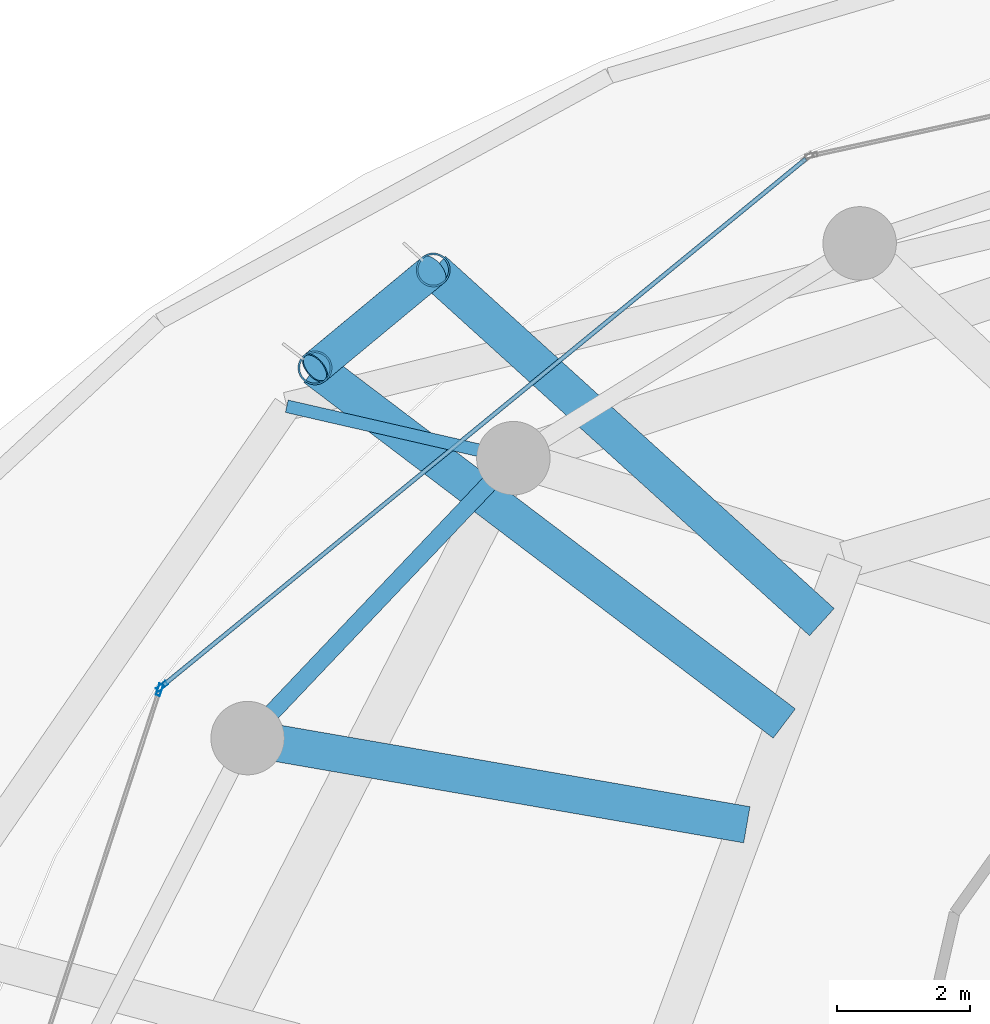
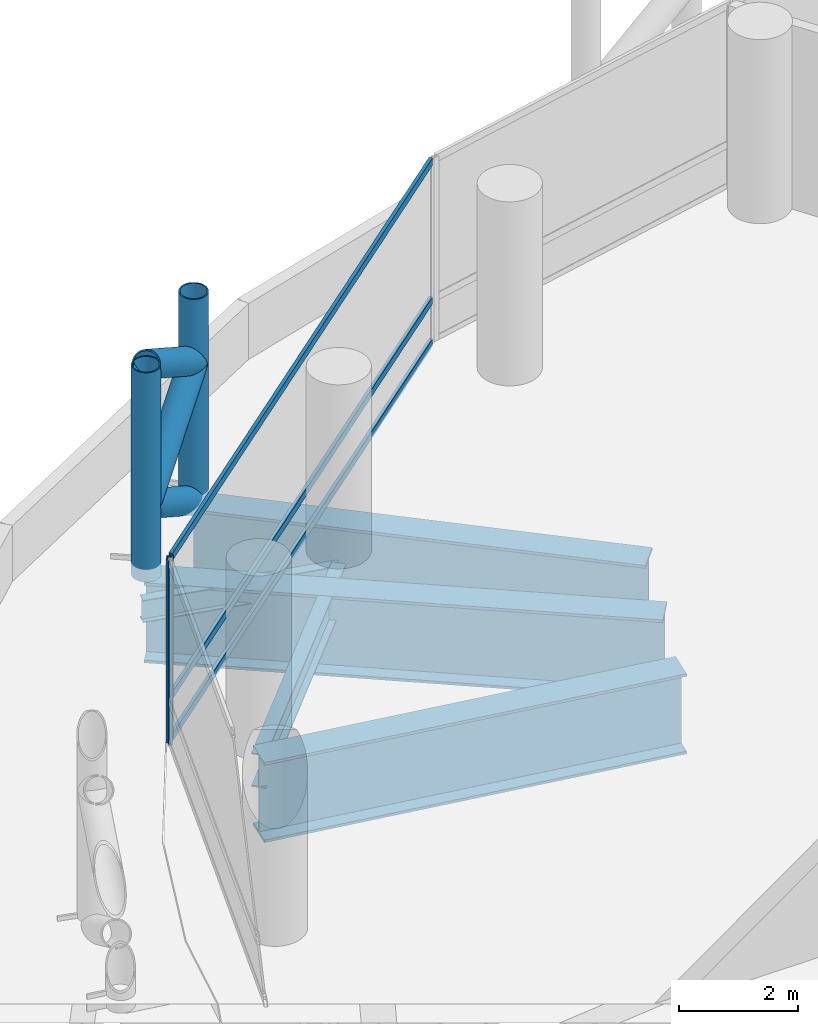
# One storey, part 18 of 37: 10 members, 5 beams, 2 elements without a shape of their own.
"""IFC4 building model written with IfcOpenShell, lengths in metres."""

from ifc_helpers import new_model, si_unit, direction, frame, origin, origin_2d, place, context, subcontext, project, spatial, hollow_rectangle, hollow_circle, i_section, extrude, material, layer, layer_set, material_profile, profile_set, type_object, element, aggregate, save


model = new_model("IFC4")

# Units and contexts
model_context = context("Model", 3, precision=1e-05, world=origin(), true_north=direction((0.0, 1.0)))
body_context = subcontext(model_context, "Body", "Model", "MODEL_VIEW")
ifc_project = project(units=[si_unit("LENGTHUNIT", "METRE"), si_unit("AREAUNIT", "SQUARE_METRE"), si_unit("VOLUMEUNIT", "CUBIC_METRE"), si_unit("PLANEANGLEUNIT", "RADIAN"), si_unit("MASSUNIT", "GRAM", prefix="KILO")], contexts=[model_context])

# Site, building, storey
site_placement = place(None, origin())
site = spatial("IfcSite", under=ifc_project, at=site_placement, CompositionType="ELEMENT")
building_placement = place(site_placement, origin())
building = spatial("IfcBuilding", under=site, at=building_placement, Name="Nuhasar Tower", CompositionType="ELEMENT")
storey_placement = place(building_placement, frame((0.0, 0.0, 21.0)))
storey = spatial("IfcBuildingStorey", under=building, at=storey_placement, Name="L04", CompositionType="ELEMENT", Elevation=21.0)

# Beams
ifc_material_1 = material(Name="Steel S355", Category="steel")
ifc_material_profile_1 = material_profile(ifc_material_1, i_section(OverallWidth=0.18994140625, OverallDepth=0.45703125, WebThickness=0.009033203125, FlangeThickness=0.014404296875, at=origin_2d()), Name="W18X50")
ifc_profile_set_1 = profile_set([ifc_material_profile_1], Name="Steel S355")
beam_type_1 = type_object("IfcBeamType", Name="BM-RAD-W18X50", PredefinedType="BEAM", material=ifc_profile_set_1)
beam_1_placement = place(storey_placement, frame((21.287109375, 41.118896484375, -0.489013671875), z_axis=(-0.974715141502, 0.223451097394, 0.0), x_axis=(-0.223451097394, -0.974715141502, 0.0)))
element("IfcBeam", 1, at=beam_1_placement, inside=storey, type_object=beam_type_1, Name="L04 Podium Radial Girder 07", PredefinedType="BEAM", context=body_context, shape_type="SweptSolid", body=[
    extrude(i_section(OverallWidth=0.18994140625, OverallDepth=0.45703125, WebThickness=0.009033203125, FlangeThickness=0.014404296875, at=origin_2d()), origin(), (0.0, 0.0, 1.0), 3.482177734375),
])
ifc_material_profile_2 = material_profile(ifc_material_1, i_section(OverallWidth=0.256103515625, OverallDepth=0.693115234375, WebThickness=0.014404296875, FlangeThickness=0.023681640625, at=origin_2d()), Name="W27X114")
ifc_profile_set_2 = profile_set([ifc_material_profile_2], Name="Steel S355")
beam_type_2 = type_object("IfcBeamType", Name="BM-RING-W27X114", PredefinedType="SPANDREL", material=ifc_profile_set_2)
beam_2_placement = place(storey_placement, frame((21.287109375, 41.118896484375, -0.60693359375), z_axis=(-0.688480893507, -0.725254478976, 0.0), x_axis=(0.725254478976, -0.688480893507, 0.0)))
element("IfcBeam", 2, at=beam_2_placement, inside=storey, type_object=beam_type_2, Name="L04 Perimeter Ring Spandrel 10", PredefinedType="SPANDREL", context=body_context, shape_type="SweptSolid", body=[
    extrude(i_section(OverallWidth=0.256103515625, OverallDepth=0.693115234375, WebThickness=0.014404296875, FlangeThickness=0.023681640625, at=origin_2d()), origin(), (0.0, 0.0, 1.0), 5.782470703125),
])
ifc_material_2 = material(Name="Steel S460", Category="steel")
ifc_material_profile_3 = material_profile(ifc_material_2, i_section(OverallWidth=0.550048828125, OverallDepth=1.64990234375, WebThickness=0.031982421875, FlangeThickness=0.054931640625, at=origin_2d()), Name="PG1650X550")
ifc_profile_set_3 = profile_set([ifc_material_profile_3], Name="Steel S460")
beam_type_3 = type_object("IfcBeamType", Name="BM-XFER-PG1650", PredefinedType="USERDEFINED", material=ifc_profile_set_3)
beam_3_placement = place(storey_placement, frame((24.784912109375, 35.626953125, -1.0849609375), z_axis=(-0.985269532389, 0.171008621261, 0.0), x_axis=(-0.171008621261, -0.985269532389, 0.0)))
element("IfcBeam", 3, at=beam_3_placement, inside=storey, type_object=beam_type_3, Name="L04 Inner Column Transfer Girder 11", ObjectType="GIRDER", PredefinedType="USERDEFINED", context=body_context, shape_type="SweptSolid", body=[
    extrude(i_section(OverallWidth=0.550048828125, OverallDepth=1.64990234375, WebThickness=0.031982421875, FlangeThickness=0.054931640625, at=origin_2d()), origin(), (0.0, 0.0, 1.0), 7.5908203125),
])
beam_4_placement = place(storey_placement, frame((25.908935546875, 38.6630859375, -1.0849609375), z_axis=(-0.741007727783, 0.671496498402, 0.0), x_axis=(-0.671496498402, -0.741007727783, 0.0)))
element("IfcBeam", 4, at=beam_4_placement, inside=storey, type_object=beam_type_3, Name="L04 Exoskeleton Base Transfer Girder 09", ObjectType="GIRDER", PredefinedType="USERDEFINED", context=body_context, shape_type="SweptSolid", body=[
    extrude(i_section(OverallWidth=0.550048828125, OverallDepth=1.64990234375, WebThickness=0.031982421875, FlangeThickness=0.054931640625, at=origin_2d()), origin(), (0.0, 0.0, 1.0), 7.85693359375),
])
beam_5_placement = place(storey_placement, frame((25.345947265625, 37.14404296875, -1.0849609375), z_axis=(-0.79707115575, 0.603885396969, 0.0), x_axis=(-0.603885396969, -0.79707115575, 0.0)))
element("IfcBeam", 5, at=beam_5_placement, inside=storey, type_object=beam_type_3, Name="L04 Exoskeleton Base Transfer Girder 10", ObjectType="GIRDER", PredefinedType="USERDEFINED", context=body_context, shape_type="SweptSolid", body=[
    extrude(i_section(OverallWidth=0.550048828125, OverallDepth=1.64990234375, WebThickness=0.031982421875, FlangeThickness=0.054931640625, at=origin_2d()), origin(), (0.0, 0.0, 1.0), 8.821044921875),
])

# Curtain wall, member
ifc_material_3 = material(Name="Aluminium 6063-T6", Category="aluminium")
ifc_layer = layer(ifc_material_3, 0.199951171875)
ifc_layer_set = layer_set([ifc_layer], Name="Aluminium 6063-T6")
curtain_wall_type = type_object("IfcCurtainWallType", Name="CW-Z1-OFF", PredefinedType="NOTDEFINED", material=ifc_layer_set)
curtain_wall_1_placement = place(storey_placement, origin())
curtain_wall_1 = element("IfcCurtainWall", 6, at=curtain_wall_1_placement, inside=storey, type_object=curtain_wall_type, Name="L04 Unitised Curtain Wall 05", PredefinedType="NOTDEFINED")
ifc_material_profile_4 = material_profile(ifc_material_3, hollow_rectangle(XDim=0.06494140625, YDim=0.179931640625, WallThickness=0.0048828125, at=origin_2d()), Name="CWM-2")
ifc_profile_set_4 = profile_set([ifc_material_profile_4], Name="Aluminium 6063-T6")
member_type_1 = type_object("IfcMemberType", Name="CW-MUL-S2", PredefinedType="MULLION", material=ifc_profile_set_4)
member_1_placement = place(storey_placement, frame((16.023193359375, 37.70068359375, 0.0), z_axis=(0.0, 0.0, 1.0), x_axis=(0.633744593376, -0.773542364946, 0.0)))
member_1 = element("IfcMember", 7, at=member_1_placement, type_object=member_type_1, Name="CW-Z1 mullion 2", PredefinedType="MULLION", context=body_context, shape_type="SweptSolid", body=[
    extrude(hollow_rectangle(XDim=0.06494140625, YDim=0.179931640625, WallThickness=0.0048828125, at=origin_2d()), origin(), (0.0, 0.0, 1.0), 3.7900390625),
])

curtain_wall_2_placement = place(storey_placement, origin())
curtain_wall_2 = element("IfcCurtainWall", 8, at=curtain_wall_2_placement, inside=storey, type_object=curtain_wall_type, Name="L04 Unitised Curtain Wall 06", PredefinedType="NOTDEFINED")
member_2_placement = place(storey_placement, frame((15.98779296875, 37.649169921875, 0.0), z_axis=(0.0, 0.0, 1.0), x_axis=(0.950467534571, -0.310823849997, 0.0)))
member_2 = element("IfcMember", 9, at=member_2_placement, type_object=member_type_1, Name="CW-Z1 mullion 1", PredefinedType="MULLION", context=body_context, shape_type="SweptSolid", body=[
    extrude(hollow_rectangle(XDim=0.06494140625, YDim=0.179931640625, WallThickness=0.0048828125, at=origin_2d()), origin(), (0.0, 0.0, 1.0), 3.7900390625),
])
aggregate(curtain_wall_2, [member_2])

# Member
ifc_material_profile_5 = material_profile(ifc_material_3, hollow_rectangle(XDim=0.06494140625, YDim=0.14990234375, WallThickness=0.00439453125, at=origin_2d()), Name="CWT-2")
ifc_profile_set_5 = profile_set([ifc_material_profile_5], Name="Aluminium 6063-T6")
member_type_2 = type_object("IfcMemberType", Name="CW-TRN-S2", PredefinedType="USERDEFINED", material=ifc_profile_set_5)
member_3_placement = place(storey_placement, frame((25.669677734375, 45.603759765625, 0.032470703125), z_axis=(-0.773540851599, -0.633746440548, 0.0), x_axis=(0.633746440548, -0.773540851599, 0.0)))
member_3 = element("IfcMember", 10, at=member_3_placement, type_object=member_type_2, Name="CW-Z1 transom 1.1", ObjectType="TRANSOM", PredefinedType="USERDEFINED", context=body_context, shape_type="SweptSolid", body=[
    extrude(hollow_rectangle(XDim=0.06494140625, YDim=0.14990234375, WallThickness=0.00439453125, at=origin_2d()), origin(), (0.0, 0.0, 1.0), 12.43798828125),
])

member_4_placement = place(storey_placement, frame((25.669677734375, 45.603759765625, 0.89990234375), z_axis=(-0.773540851599, -0.633746440548, 0.0), x_axis=(0.633746440548, -0.773540851599, 0.0)))
member_4 = element("IfcMember", 11, at=member_4_placement, type_object=member_type_2, Name="CW-Z1 transom 1.2", ObjectType="TRANSOM", PredefinedType="USERDEFINED", context=body_context, shape_type="SweptSolid", body=[
    extrude(hollow_rectangle(XDim=0.06494140625, YDim=0.14990234375, WallThickness=0.00439453125, at=origin_2d()), origin(), (0.0, 0.0, 1.0), 12.43798828125),
])

member_5_placement = place(storey_placement, frame((25.669677734375, 45.603759765625, 3.757568359375), z_axis=(-0.773540851599, -0.633746440548, 0.0), x_axis=(0.633746440548, -0.773540851599, 0.0)))
member_5 = element("IfcMember", 12, at=member_5_placement, type_object=member_type_2, Name="CW-Z1 transom 1.3", ObjectType="TRANSOM", PredefinedType="USERDEFINED", context=body_context, shape_type="SweptSolid", body=[
    extrude(hollow_rectangle(XDim=0.06494140625, YDim=0.14990234375, WallThickness=0.00439453125, at=origin_2d()), origin(), (0.0, 0.0, 1.0), 12.43798828125),
])

aggregate(curtain_wall_1, [member_1, member_3, member_4, member_5])

# Members
ifc_material_profile_6 = material_profile(ifc_material_2, hollow_circle(Radius=0.25390625, WallThickness=0.025390625, at=origin_2d()), Name="HSS508X25.4")
ifc_profile_set_6 = profile_set([ifc_material_profile_6], Name="Steel S460")
member_type_3 = type_object("IfcMemberType", Name="EXO-BRONZE-508", PredefinedType="BRACE", material=ifc_profile_set_6)
for number, where, z_axis, x_axis, name in (
    (13, (20.0869140625, 43.93896484375, -0.260009765625), (0.0, 0.0, 1.0), (1.0, 0.0, 0.0), "L04 Exoskeleton Chord Column EC-05A"),
    (14, (18.31494140625, 42.470947265625, -0.260009765625), (0.0, 0.0, 1.0), (1.0, 0.0, 0.0), "L04 Exoskeleton Chord Column EC-05B"),
):
    element("IfcMember", number, at=place(storey_placement, frame(where, z_axis=z_axis, x_axis=x_axis)), inside=storey, type_object=member_type_3, Name=name, PredefinedType="BRACE", context=body_context, shape_type="SweptSolid", body=[
        extrude(hollow_circle(Radius=0.25390625, WallThickness=0.025390625, at=origin_2d()), origin(), (0.0, 0.0, 1.0), 4.31005859375),
    ])
member_6_placement = place(storey_placement, frame((20.0869140625, 43.93896484375, -0.260009765625), z_axis=(-0.653159322717, -0.541119730986, 0.529690792713), x_axis=(0.637969333506, -0.770061769929, 0.0)))
element("IfcMember", 15, at=member_6_placement, inside=storey, type_object=member_type_3, Name="L04 Bronze Diagrid Brace W1-05", PredefinedType="BRACE", context=body_context, shape_type="SweptSolid", body=[
    extrude(hollow_circle(Radius=0.25390625, WallThickness=0.025390625, at=origin_2d()), origin(), (0.0, 0.0, 1.0), 2.712890625),
])
member_7_placement = place(storey_placement, frame((18.31494140625, 42.470947265625, 1.177001953125), z_axis=(0.653283854529, 0.541222901252, 0.529431748738), x_axis=(-0.637969333506, 0.770061769929, 0.0)))
element("IfcMember", 16, at=member_7_placement, inside=storey, type_object=member_type_3, Name="L04 Bronze Diagrid Brace W2-05", PredefinedType="BRACE", context=body_context, shape_type="SweptSolid", body=[
    extrude(hollow_circle(Radius=0.25390625, WallThickness=0.025390625, at=origin_2d()), origin(), (0.0, 0.0, 1.0), 2.71240234375),
])
member_8_placement = place(storey_placement, frame((20.0869140625, 43.93896484375, 2.613037109375), z_axis=(-0.653159322717, -0.541119730986, 0.529690792713), x_axis=(0.637969333506, -0.770061769929, 0.0)))
element("IfcMember", 17, at=member_8_placement, inside=storey, type_object=member_type_3, Name="L04 Bronze Diagrid Brace W3-05", PredefinedType="BRACE", context=body_context, shape_type="SweptSolid", body=[
    extrude(hollow_circle(Radius=0.25390625, WallThickness=0.025390625, at=origin_2d()), origin(), (0.0, 0.0, 1.0), 2.712890625),
])

save(model, "model.ifc")
